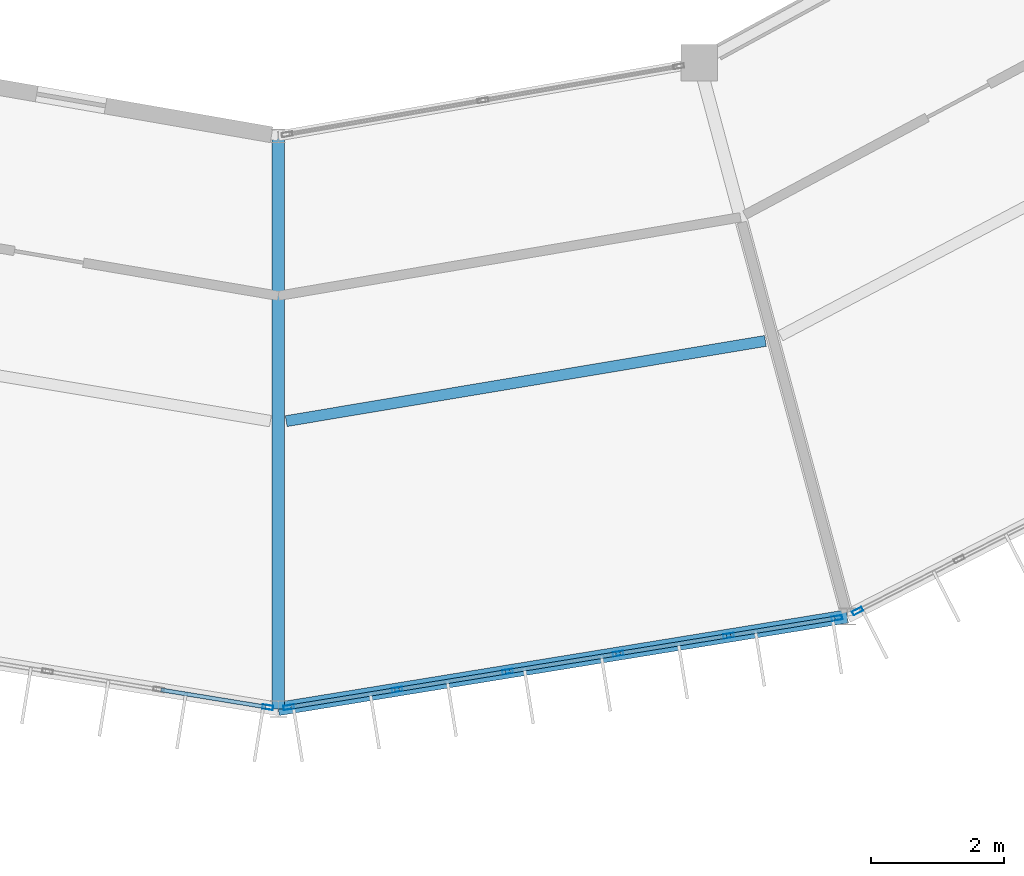
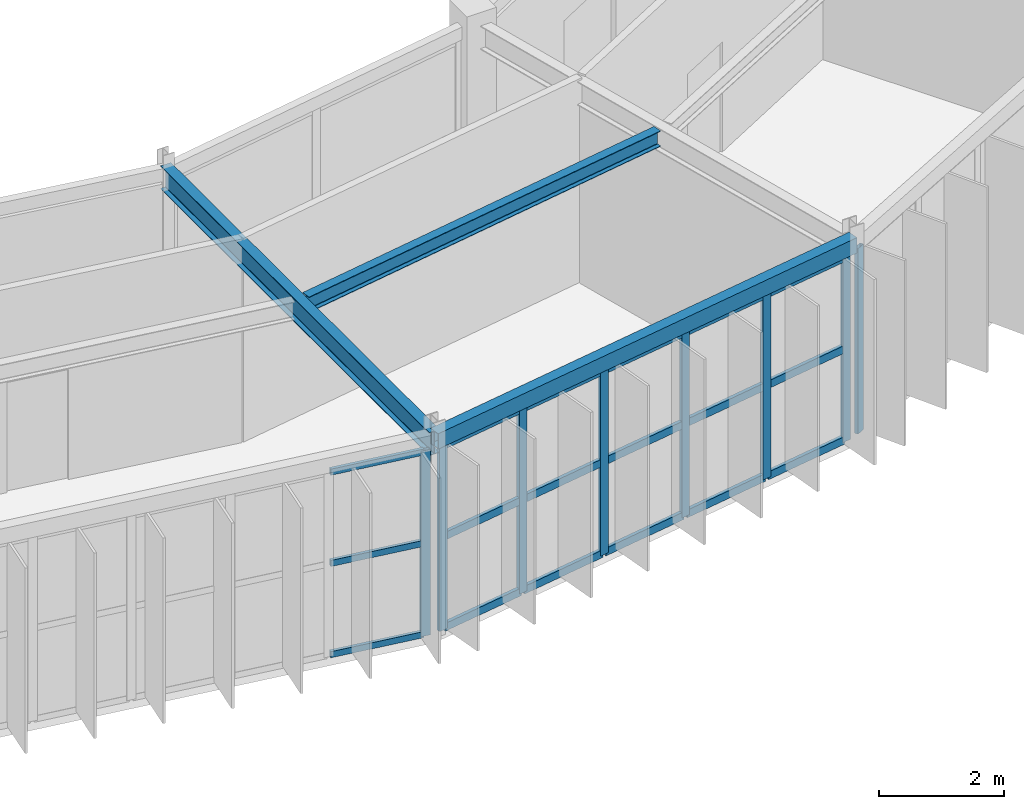
# One storey, part 54 of 157: 26 members, 3 beams, 3 elements without a shape of their own.
"""IFC4 building model written with IfcOpenShell, lengths in metres."""

from ifc_helpers import new_model, si_unit, direction, frame, origin, origin_2d, place, context, subcontext, project, spatial, hollow_rectangle, i_section, extrude, material, material_profile, profile_set, type_object, element, aggregate, save


model = new_model("IFC4")

# Units and contexts
model_context = context("Model", 3, precision=1e-05, world=origin(), true_north=direction((0.0, 1.0)))
body_context = subcontext(model_context, "Body", "Model", "MODEL_VIEW")
ifc_project = project(units=[si_unit("LENGTHUNIT", "METRE"), si_unit("AREAUNIT", "SQUARE_METRE"), si_unit("VOLUMEUNIT", "CUBIC_METRE"), si_unit("PLANEANGLEUNIT", "RADIAN"), si_unit("MASSUNIT", "GRAM", prefix="KILO")], contexts=[model_context])

# Site, building, storey
site_placement = place(None, origin())
site = spatial("IfcSite", under=ifc_project, at=site_placement, CompositionType="ELEMENT")
building_placement = place(site_placement, origin())
building = spatial("IfcBuilding", under=site, at=building_placement, Name="Karori Crest Natural Sciences Institute", CompositionType="ELEMENT")
storey_placement = place(building_placement, frame((0.0, 0.0, 13.300048828125)))
storey = spatial("IfcBuildingStorey", under=building, at=storey_placement, Name="L03", CompositionType="ELEMENT", Elevation=13.300048828125)

# Beams
ifc_material_1 = material(Name="Structural steel AS/NZS 3679.1 Grade 350", Category="steel")
ifc_material_profile_1 = material_profile(ifc_material_1, i_section(OverallWidth=0.1650390625, OverallDepth=0.303955078125, WebThickness=0.006103515625, FlangeThickness=0.01025390625, FilletRadius=0.010986328125, at=origin_2d()), Name="310UB40.4")
ifc_profile_set_1 = profile_set([ifc_material_profile_1], Name="Structural steel AS/NZS 3679.1 Grade 350")
beam_type_1 = type_object("IfcBeamType", Name="BT-10", PredefinedType="BEAM", material=ifc_profile_set_1)
beam_1_placement = place(storey_placement, frame((66.518310546875, 13.419921875, 3.787841796875), z_axis=(0.986276028212, 0.165104803609, 0.0), x_axis=(-0.165104803609, 0.986276028212, 0.0)))
element("IfcBeam", 1, at=beam_1_placement, inside=storey, type_object=beam_type_1, Name="Beam B-0431", PredefinedType="BEAM", context=body_context, shape_type="SweptSolid", body=[
    extrude(i_section(OverallWidth=0.1650390625, OverallDepth=0.303955078125, WebThickness=0.006103515625, FlangeThickness=0.01025390625, FilletRadius=0.010986328125, at=origin_2d()), origin(), (0.0, 0.0, 1.0), 7.29150390625),
])
ifc_material_2 = material(Name="Hollow structural steel AS/NZS 1163 Grade C350", Category="steel")
ifc_material_profile_2 = material_profile(ifc_material_2, hollow_rectangle(XDim=0.199951171875, YDim=0.300048828125, WallThickness=0.010009765625, at=origin_2d()), Name="RHS300x200x10")
ifc_profile_set_2 = profile_set([ifc_material_profile_2], Name="Hollow structural steel AS/NZS 1163 Grade C350")
beam_type_2 = type_object("IfcBeamType", Name="BT-15", PredefinedType="SPANDREL", material=ifc_profile_set_2)
beam_2_placement = place(storey_placement, frame((66.39990234375, 9.10009765625, 3.7900390625), z_axis=(0.987012055933, 0.160646199591, 0.0), x_axis=(-0.160646199591, 0.987012055933, 0.0)))
element("IfcBeam", 2, at=beam_2_placement, inside=storey, type_object=beam_type_2, Name="Beam B-0428", PredefinedType="SPANDREL", context=body_context, shape_type="SweptSolid", body=[
    extrude(hollow_rectangle(XDim=0.199951171875, YDim=0.300048828125, WallThickness=0.010009765625, at=origin_2d()), origin(), (0.0, 0.0, 1.0), 8.6533203125),
])
ifc_material_profile_3 = material_profile(ifc_material_1, i_section(OverallWidth=0.18994140625, OverallDepth=0.4541015625, WebThickness=0.008544921875, FlangeThickness=0.0126953125, FilletRadius=0.010986328125, at=origin_2d()), Name="460UB67.1")
ifc_profile_set_3 = profile_set([ifc_material_profile_3], Name="Structural steel AS/NZS 3679.1 Grade 350")
beam_type_3 = type_object("IfcBeamType", Name="BT-28", PredefinedType="BEAM", material=ifc_profile_set_3)
beam_3_placement = place(storey_placement, frame((66.39990234375, 17.699951171875, 3.712890625), z_axis=(0.0, -1.0, 0.0), x_axis=(1.0, 0.0, 0.0)))
element("IfcBeam", 3, at=beam_3_placement, inside=storey, type_object=beam_type_3, Name="Beam B-0430", PredefinedType="BEAM", context=body_context, shape_type="SweptSolid", body=[
    extrude(i_section(OverallWidth=0.18994140625, OverallDepth=0.4541015625, WebThickness=0.008544921875, FlangeThickness=0.0126953125, FilletRadius=0.010986328125, at=origin_2d()), origin(), (0.0, 0.0, 1.0), 8.599853515625),
])

# Curtain wall, member
ifc_material_3 = material(Name="Anodised architectural aluminium 6063-T6", Category="aluminium")
curtain_wall_type_1 = type_object("IfcCurtainWallType", Name="CWT-08", PredefinedType="NOTDEFINED", material=ifc_material_3)
curtain_wall_1_placement = place(storey_placement, origin())
curtain_wall_1 = element("IfcCurtainWall", 4, at=curtain_wall_1_placement, inside=storey, type_object=curtain_wall_type_1, Name="Curtain wall CW-0126", PredefinedType="NOTDEFINED")
ifc_material_profile_4 = material_profile(ifc_material_3, hollow_rectangle(XDim=0.06494140625, YDim=0.159912109375, WallThickness=0.00390625, at=origin_2d()), Name="CWM160x65x4")
ifc_profile_set_4 = profile_set([ifc_material_profile_4], Name="Anodised architectural aluminium 6063-T6")
member_type_1 = type_object("IfcMemberType", Name="CWM-01", PredefinedType="MULLION", material=ifc_profile_set_4)
member_1_placement = place(storey_placement, frame((66.241943359375, 9.125732421875, 0.0), z_axis=(0.0, 0.0, 1.0), x_axis=(-0.160655493101, -0.987010543275, 0.0)))
member_1 = element("IfcMember", 5, at=member_1_placement, type_object=member_type_1, Name="CW-0126 mullion 1", PredefinedType="MULLION", context=body_context, shape_type="SweptSolid", body=[
    extrude(hollow_rectangle(XDim=0.06494140625, YDim=0.159912109375, WallThickness=0.00390625, at=origin_2d()), origin(), (0.0, 0.0, 1.0), 3.625),
])

# Curtain wall, members
curtain_wall_type_2 = type_object("IfcCurtainWallType", Name="CWT-09", PredefinedType="NOTDEFINED", material=ifc_material_3)
curtain_wall_2_placement = place(storey_placement, origin())
curtain_wall_2 = element("IfcCurtainWall", 6, at=curtain_wall_2_placement, inside=storey, type_object=curtain_wall_type_2, Name="Curtain wall CW-0127", PredefinedType="NOTDEFINED")
member_2_placement = place(storey_placement, frame((74.783935546875, 10.464599609375, 0.0), z_axis=(0.0, 0.0, 1.0), x_axis=(0.160650246484, -0.987011397252, 0.0)))
member_2 = element("IfcMember", 7, at=member_2_placement, type_object=member_type_1, Name="CW-0127 mullion 1", PredefinedType="MULLION", context=body_context, shape_type="SweptSolid", body=[
    extrude(hollow_rectangle(XDim=0.06494140625, YDim=0.159912109375, WallThickness=0.00390625, at=origin_2d()), origin(), (0.0, 0.0, 1.0), 3.625),
])
member_3_placement = place(storey_placement, frame((73.157958984375, 10.199951171875, 0.0), z_axis=(0.0, 0.0, 1.0), x_axis=(0.160650246484, -0.987011397252, 0.0)))
member_3 = element("IfcMember", 8, at=member_3_placement, type_object=member_type_1, Name="CW-0127 mullion 2", PredefinedType="MULLION", context=body_context, shape_type="SweptSolid", body=[
    extrude(hollow_rectangle(XDim=0.06494140625, YDim=0.159912109375, WallThickness=0.00390625, at=origin_2d()), origin(), (0.0, 0.0, 1.0), 3.625),
])
member_4_placement = place(storey_placement, frame((71.5, 9.93017578125, 0.0), z_axis=(0.0, 0.0, 1.0), x_axis=(0.160650246484, -0.987011397252, 0.0)))
member_4 = element("IfcMember", 9, at=member_4_placement, type_object=member_type_1, Name="CW-0127 mullion 3", PredefinedType="MULLION", context=body_context, shape_type="SweptSolid", body=[
    extrude(hollow_rectangle(XDim=0.06494140625, YDim=0.159912109375, WallThickness=0.00390625, at=origin_2d()), origin(), (0.0, 0.0, 1.0), 3.625),
])
member_5_placement = place(storey_placement, frame((69.842041015625, 9.66015625, 0.0), z_axis=(0.0, 0.0, 1.0), x_axis=(0.160650246484, -0.987011397252, 0.0)))
member_5 = element("IfcMember", 10, at=member_5_placement, type_object=member_type_1, Name="CW-0127 mullion 4", PredefinedType="MULLION", context=body_context, shape_type="SweptSolid", body=[
    extrude(hollow_rectangle(XDim=0.06494140625, YDim=0.159912109375, WallThickness=0.00390625, at=origin_2d()), origin(), (0.0, 0.0, 1.0), 3.625),
])
member_6_placement = place(storey_placement, frame((68.18408203125, 9.390380859375, 0.0), z_axis=(0.0, 0.0, 1.0), x_axis=(0.160650246484, -0.987011397252, 0.0)))
member_6 = element("IfcMember", 11, at=member_6_placement, type_object=member_type_1, Name="CW-0127 mullion 5", PredefinedType="MULLION", context=body_context, shape_type="SweptSolid", body=[
    extrude(hollow_rectangle(XDim=0.06494140625, YDim=0.159912109375, WallThickness=0.00390625, at=origin_2d()), origin(), (0.0, 0.0, 1.0), 3.625),
])
member_7_placement = place(storey_placement, frame((66.55810546875, 9.125732421875, 0.0), z_axis=(0.0, 0.0, 1.0), x_axis=(0.160650246484, -0.987011397252, 0.0)))
member_7 = element("IfcMember", 12, at=member_7_placement, type_object=member_type_1, Name="CW-0127 mullion 6", PredefinedType="MULLION", context=body_context, shape_type="SweptSolid", body=[
    extrude(hollow_rectangle(XDim=0.06494140625, YDim=0.159912109375, WallThickness=0.00390625, at=origin_2d()), origin(), (0.0, 0.0, 1.0), 3.625),
])

# Curtain wall, member
curtain_wall_type_3 = type_object("IfcCurtainWallType", Name="CWT-10", PredefinedType="NOTDEFINED", material=ifc_material_3)
curtain_wall_3_placement = place(storey_placement, origin())
curtain_wall_3 = element("IfcCurtainWall", 13, at=curtain_wall_3_placement, inside=storey, type_object=curtain_wall_type_3, Name="Curtain wall CW-0129", PredefinedType="NOTDEFINED")
member_8_placement = place(storey_placement, frame((75.09521484375, 10.569091796875, 0.0), z_axis=(0.0, 0.0, 1.0), x_axis=(0.455828878252, -0.890067432138, 0.0)))
member_8 = element("IfcMember", 14, at=member_8_placement, type_object=member_type_1, Name="CW-0129 mullion 6", PredefinedType="MULLION", context=body_context, shape_type="SweptSolid", body=[
    extrude(hollow_rectangle(XDim=0.06494140625, YDim=0.159912109375, WallThickness=0.00390625, at=origin_2d()), origin(), (0.0, 0.0, 1.0), 3.625),
])
aggregate(curtain_wall_3, [member_8])

# Member
ifc_material_profile_5 = material_profile(ifc_material_3, hollow_rectangle(XDim=0.06005859375, YDim=0.1201171875, WallThickness=0.00390625, at=origin_2d()), Name="CWT120x60x4")
ifc_profile_set_5 = profile_set([ifc_material_profile_5], Name="Anodised architectural aluminium 6063-T6")
member_type_2 = type_object("IfcMemberType", Name="CWT-TR1", PredefinedType="USERDEFINED", material=ifc_profile_set_5)
member_9_placement = place(storey_placement, frame((66.2099609375, 9.130859375, 0.030029296875), z_axis=(-0.987008400747, 0.16066865548, 0.0), x_axis=(-0.16066865548, -0.987008400747, 0.0)))
member_9 = element("IfcMember", 15, at=member_9_placement, type_object=member_type_2, Name="CW-0126 transom 1.1", ObjectType="TRANSOM", PredefinedType="USERDEFINED", context=body_context, shape_type="SweptSolid", body=[
    extrude(hollow_rectangle(XDim=0.06005859375, YDim=0.1201171875, WallThickness=0.00390625, at=origin_2d()), origin(), (0.0, 0.0, 1.0), 1.592529296875),
])

member_10_placement = place(storey_placement, frame((66.2099609375, 9.130859375, 1.8125), z_axis=(-0.987008400747, 0.16066865548, 0.0), x_axis=(-0.16066865548, -0.987008400747, 0.0)))
member_10 = element("IfcMember", 16, at=member_10_placement, type_object=member_type_2, Name="CW-0126 transom 1.2", ObjectType="TRANSOM", PredefinedType="USERDEFINED", context=body_context, shape_type="SweptSolid", body=[
    extrude(hollow_rectangle(XDim=0.06005859375, YDim=0.1201171875, WallThickness=0.00390625, at=origin_2d()), origin(), (0.0, 0.0, 1.0), 1.592529296875),
])

member_11_placement = place(storey_placement, frame((66.2099609375, 9.130859375, 3.594970703125), z_axis=(-0.987008400747, 0.16066865548, 0.0), x_axis=(-0.16066865548, -0.987008400747, 0.0)))
member_11 = element("IfcMember", 17, at=member_11_placement, type_object=member_type_2, Name="CW-0126 transom 1.3", ObjectType="TRANSOM", PredefinedType="USERDEFINED", context=body_context, shape_type="SweptSolid", body=[
    extrude(hollow_rectangle(XDim=0.06005859375, YDim=0.1201171875, WallThickness=0.00390625, at=origin_2d()), origin(), (0.0, 0.0, 1.0), 1.592529296875),
])

aggregate(curtain_wall_1, [member_1, member_9, member_10, member_11])

ifc_material_profile_6 = material_profile(ifc_material_3, hollow_rectangle(XDim=0.06494140625, YDim=0.14990234375, WallThickness=0.00390625, at=origin_2d()), Name="CWT150x65x4")
ifc_profile_set_6 = profile_set([ifc_material_profile_6], Name="Anodised architectural aluminium 6063-T6")
member_type_3 = type_object("IfcMemberType", Name="CWT-TR2", PredefinedType="USERDEFINED", material=ifc_profile_set_6)
member_12_placement = place(storey_placement, frame((74.751708984375, 10.45947265625, 0.032470703125), z_axis=(-0.98699190147, -0.160769979886, 0.0), x_axis=(0.160769979886, -0.98699190147, 0.0)))
member_12 = element("IfcMember", 18, at=member_12_placement, type_object=member_type_3, Name="CW-0127 transom 1.1", ObjectType="TRANSOM", PredefinedType="USERDEFINED", context=body_context, shape_type="SweptSolid", body=[
    extrude(hollow_rectangle(XDim=0.06494140625, YDim=0.14990234375, WallThickness=0.00390625, at=origin_2d()), origin(), (0.0, 0.0, 1.0), 1.582275390625),
])

member_13_placement = place(storey_placement, frame((74.751708984375, 10.45947265625, 1.8125), z_axis=(-0.98699190147, -0.160769979886, 0.0), x_axis=(0.160769979886, -0.98699190147, 0.0)))
member_13 = element("IfcMember", 19, at=member_13_placement, type_object=member_type_3, Name="CW-0127 transom 1.2", ObjectType="TRANSOM", PredefinedType="USERDEFINED", context=body_context, shape_type="SweptSolid", body=[
    extrude(hollow_rectangle(XDim=0.06494140625, YDim=0.14990234375, WallThickness=0.00390625, at=origin_2d()), origin(), (0.0, 0.0, 1.0), 1.582275390625),
])

member_14_placement = place(storey_placement, frame((74.751708984375, 10.45947265625, 3.592529296875), z_axis=(-0.98699190147, -0.160769979886, 0.0), x_axis=(0.160769979886, -0.98699190147, 0.0)))
member_14 = element("IfcMember", 20, at=member_14_placement, type_object=member_type_3, Name="CW-0127 transom 1.3", ObjectType="TRANSOM", PredefinedType="USERDEFINED", context=body_context, shape_type="SweptSolid", body=[
    extrude(hollow_rectangle(XDim=0.06494140625, YDim=0.14990234375, WallThickness=0.00390625, at=origin_2d()), origin(), (0.0, 0.0, 1.0), 1.582275390625),
])

member_15_placement = place(storey_placement, frame((73.125732421875, 10.19482421875, 0.032470703125), z_axis=(-0.987000019858, -0.16072013191, 0.0), x_axis=(0.16072013191, -0.987000019858, 0.0)))
member_15 = element("IfcMember", 21, at=member_15_placement, type_object=member_type_3, Name="CW-0127 transom 2.1", ObjectType="TRANSOM", PredefinedType="USERDEFINED", context=body_context, shape_type="SweptSolid", body=[
    extrude(hollow_rectangle(XDim=0.06494140625, YDim=0.14990234375, WallThickness=0.00390625, at=origin_2d()), origin(), (0.0, 0.0, 1.0), 1.61474609375),
])

member_16_placement = place(storey_placement, frame((73.125732421875, 10.19482421875, 1.8125), z_axis=(-0.987000019858, -0.16072013191, 0.0), x_axis=(0.16072013191, -0.987000019858, 0.0)))
member_16 = element("IfcMember", 22, at=member_16_placement, type_object=member_type_3, Name="CW-0127 transom 2.2", ObjectType="TRANSOM", PredefinedType="USERDEFINED", context=body_context, shape_type="SweptSolid", body=[
    extrude(hollow_rectangle(XDim=0.06494140625, YDim=0.14990234375, WallThickness=0.00390625, at=origin_2d()), origin(), (0.0, 0.0, 1.0), 1.61474609375),
])

member_17_placement = place(storey_placement, frame((73.125732421875, 10.19482421875, 3.592529296875), z_axis=(-0.987000019858, -0.16072013191, 0.0), x_axis=(0.16072013191, -0.987000019858, 0.0)))
member_17 = element("IfcMember", 23, at=member_17_placement, type_object=member_type_3, Name="CW-0127 transom 2.3", ObjectType="TRANSOM", PredefinedType="USERDEFINED", context=body_context, shape_type="SweptSolid", body=[
    extrude(hollow_rectangle(XDim=0.06494140625, YDim=0.14990234375, WallThickness=0.00390625, at=origin_2d()), origin(), (0.0, 0.0, 1.0), 1.61474609375),
])

member_18_placement = place(storey_placement, frame((71.4677734375, 9.9248046875, 0.032470703125), z_axis=(-0.987023993607, -0.160572837195, 0.0), x_axis=(0.160572837195, -0.987023993607, 0.0)))
member_18 = element("IfcMember", 24, at=member_18_placement, type_object=member_type_3, Name="CW-0127 transom 3.1", ObjectType="TRANSOM", PredefinedType="USERDEFINED", context=body_context, shape_type="SweptSolid", body=[
    extrude(hollow_rectangle(XDim=0.06494140625, YDim=0.14990234375, WallThickness=0.00390625, at=origin_2d()), origin(), (0.0, 0.0, 1.0), 1.61474609375),
])

member_19_placement = place(storey_placement, frame((71.4677734375, 9.9248046875, 1.8125), z_axis=(-0.987023993607, -0.160572837195, 0.0), x_axis=(0.160572837195, -0.987023993607, 0.0)))
member_19 = element("IfcMember", 25, at=member_19_placement, type_object=member_type_3, Name="CW-0127 transom 3.2", ObjectType="TRANSOM", PredefinedType="USERDEFINED", context=body_context, shape_type="SweptSolid", body=[
    extrude(hollow_rectangle(XDim=0.06494140625, YDim=0.14990234375, WallThickness=0.00390625, at=origin_2d()), origin(), (0.0, 0.0, 1.0), 1.61474609375),
])

member_20_placement = place(storey_placement, frame((71.4677734375, 9.9248046875, 3.592529296875), z_axis=(-0.987023993607, -0.160572837195, 0.0), x_axis=(0.160572837195, -0.987023993607, 0.0)))
member_20 = element("IfcMember", 26, at=member_20_placement, type_object=member_type_3, Name="CW-0127 transom 3.3", ObjectType="TRANSOM", PredefinedType="USERDEFINED", context=body_context, shape_type="SweptSolid", body=[
    extrude(hollow_rectangle(XDim=0.06494140625, YDim=0.14990234375, WallThickness=0.00390625, at=origin_2d()), origin(), (0.0, 0.0, 1.0), 1.61474609375),
])

member_21_placement = place(storey_placement, frame((69.809814453125, 9.655029296875, 0.032470703125), z_axis=(-0.987000019858, -0.16072013191, 0.0), x_axis=(0.16072013191, -0.987000019858, 0.0)))
member_21 = element("IfcMember", 27, at=member_21_placement, type_object=member_type_3, Name="CW-0127 transom 4.1", ObjectType="TRANSOM", PredefinedType="USERDEFINED", context=body_context, shape_type="SweptSolid", body=[
    extrude(hollow_rectangle(XDim=0.06494140625, YDim=0.14990234375, WallThickness=0.00390625, at=origin_2d()), origin(), (0.0, 0.0, 1.0), 1.61474609375),
])

member_22_placement = place(storey_placement, frame((69.809814453125, 9.655029296875, 1.8125), z_axis=(-0.987000019858, -0.16072013191, 0.0), x_axis=(0.16072013191, -0.987000019858, 0.0)))
member_22 = element("IfcMember", 28, at=member_22_placement, type_object=member_type_3, Name="CW-0127 transom 4.2", ObjectType="TRANSOM", PredefinedType="USERDEFINED", context=body_context, shape_type="SweptSolid", body=[
    extrude(hollow_rectangle(XDim=0.06494140625, YDim=0.14990234375, WallThickness=0.00390625, at=origin_2d()), origin(), (0.0, 0.0, 1.0), 1.61474609375),
])

member_23_placement = place(storey_placement, frame((69.809814453125, 9.655029296875, 3.592529296875), z_axis=(-0.987000019858, -0.16072013191, 0.0), x_axis=(0.16072013191, -0.987000019858, 0.0)))
member_23 = element("IfcMember", 29, at=member_23_placement, type_object=member_type_3, Name="CW-0127 transom 4.3", ObjectType="TRANSOM", PredefinedType="USERDEFINED", context=body_context, shape_type="SweptSolid", body=[
    extrude(hollow_rectangle(XDim=0.06494140625, YDim=0.14990234375, WallThickness=0.00390625, at=origin_2d()), origin(), (0.0, 0.0, 1.0), 1.61474609375),
])

member_24_placement = place(storey_placement, frame((68.15185546875, 9.38525390625, 0.032470703125), z_axis=(-0.98699190147, -0.160769979886, 0.0), x_axis=(0.160769979886, -0.98699190147, 0.0)))
member_24 = element("IfcMember", 30, at=member_24_placement, type_object=member_type_3, Name="CW-0127 transom 5.1", ObjectType="TRANSOM", PredefinedType="USERDEFINED", context=body_context, shape_type="SweptSolid", body=[
    extrude(hollow_rectangle(XDim=0.06494140625, YDim=0.14990234375, WallThickness=0.00390625, at=origin_2d()), origin(), (0.0, 0.0, 1.0), 1.582275390625),
])

member_25_placement = place(storey_placement, frame((68.15185546875, 9.38525390625, 1.8125), z_axis=(-0.98699190147, -0.160769979886, 0.0), x_axis=(0.160769979886, -0.98699190147, 0.0)))
member_25 = element("IfcMember", 31, at=member_25_placement, type_object=member_type_3, Name="CW-0127 transom 5.2", ObjectType="TRANSOM", PredefinedType="USERDEFINED", context=body_context, shape_type="SweptSolid", body=[
    extrude(hollow_rectangle(XDim=0.06494140625, YDim=0.14990234375, WallThickness=0.00390625, at=origin_2d()), origin(), (0.0, 0.0, 1.0), 1.582275390625),
])

member_26_placement = place(storey_placement, frame((68.15185546875, 9.38525390625, 3.592529296875), z_axis=(-0.98699190147, -0.160769979886, 0.0), x_axis=(0.160769979886, -0.98699190147, 0.0)))
member_26 = element("IfcMember", 32, at=member_26_placement, type_object=member_type_3, Name="CW-0127 transom 5.3", ObjectType="TRANSOM", PredefinedType="USERDEFINED", context=body_context, shape_type="SweptSolid", body=[
    extrude(hollow_rectangle(XDim=0.06494140625, YDim=0.14990234375, WallThickness=0.00390625, at=origin_2d()), origin(), (0.0, 0.0, 1.0), 1.582275390625),
])

aggregate(curtain_wall_2, [member_2, member_3, member_4, member_5, member_6, member_7, member_12, member_13, member_14, member_15, member_16, member_17, member_18, member_19, member_20, member_21, member_22, member_23, member_24, member_25, member_26])

save(model, "model.ifc")
